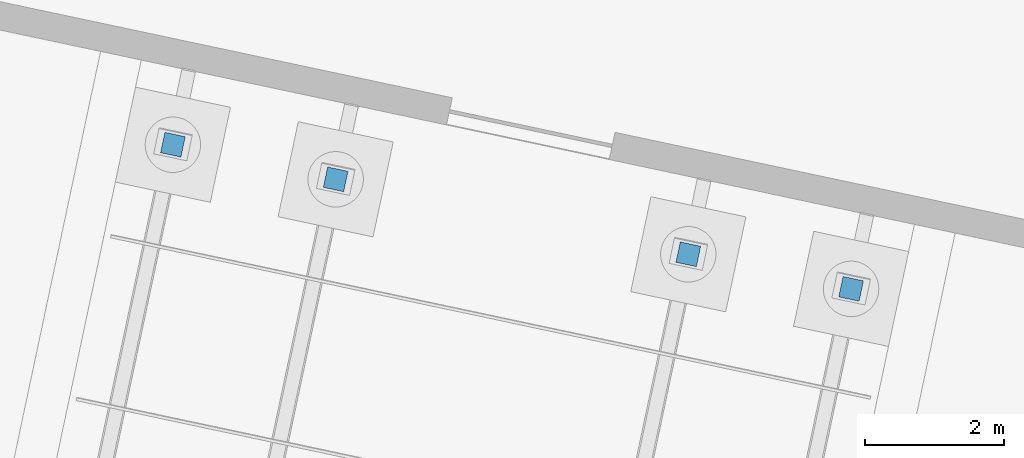
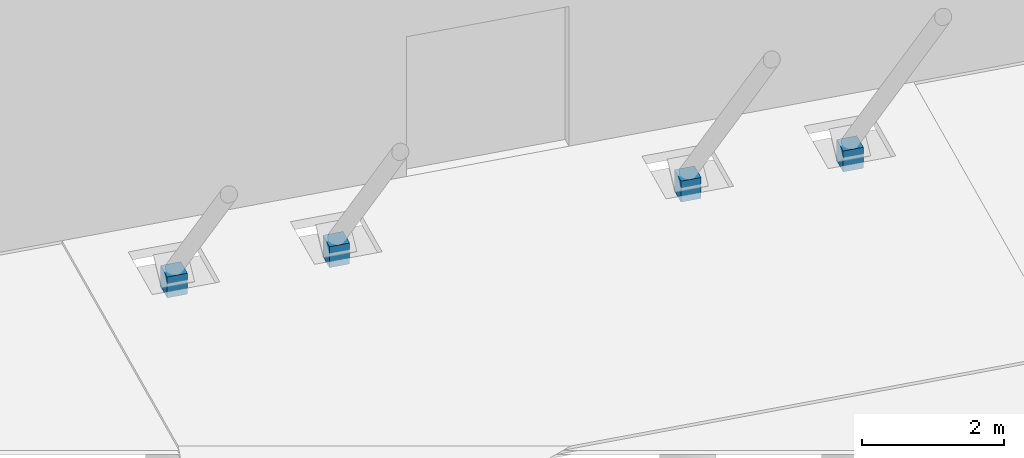
# One storey, part 137 of 239: 4 members.
"""IFC4 building model written with IfcOpenShell, lengths in metres."""

from ifc_helpers import new_model, si_unit, direction, frame, origin, origin_2d, place, context, subcontext, project, spatial, rectangle, extrude, material, material_profile, profile_set, type_object, element, save


model = new_model("IFC4")

# Units and contexts
model_context = context("Model", 3, precision=1e-05, world=origin(), true_north=direction((0.0, 1.0)))
body_context = subcontext(model_context, "Body", "Model", "MODEL_VIEW")
ifc_project = project(units=[si_unit("LENGTHUNIT", "METRE"), si_unit("AREAUNIT", "SQUARE_METRE"), si_unit("VOLUMEUNIT", "CUBIC_METRE"), si_unit("PLANEANGLEUNIT", "RADIAN"), si_unit("MASSUNIT", "GRAM", prefix="KILO")], contexts=[model_context])

# Site, building, storey
site_placement = place(None, origin())
site = spatial("IfcSite", under=ifc_project, at=site_placement, CompositionType="ELEMENT")
building_placement = place(site_placement, origin())
building = spatial("IfcBuilding", under=site, at=building_placement, Name="Okhra Congress Centre", CompositionType="ELEMENT")
storey_placement = place(building_placement, origin())
storey = spatial("IfcBuildingStorey", under=building, at=storey_placement, Name="L00", CompositionType="ELEMENT", Elevation=0.0)

# Members
ifc_material = material(Name="Steel S355J2", Category="steel")
ifc_material_profile = material_profile(ifc_material, rectangle(XDim=0.300048828125, YDim=0.300048828125, at=origin_2d()), Name="PL 300x300")
ifc_profile_set = profile_set([ifc_material_profile], Name="Steel S355J2")
member_type = type_object("IfcMemberType", Name="Steel strut base block 300x300", PredefinedType="POST", material=ifc_profile_set)
for number, where, z_axis, x_axis, name in (
    (1, (225.879638671875, 86.840087890625, -0.39990234375), (0.0, 0.0, 1.0), (0.978147600734, -0.207911690818, 0.0), "Entrance canopy strut base 1"),
    (2, (228.22705078125, 86.341064453125, -0.39990234375), (0.0, 0.0, 1.0), (0.978147600734, -0.207911690818, 0.0), "Entrance canopy strut base 2"),
    (3, (233.3134765625, 85.260009765625, -0.39990234375), (0.0, 0.0, 1.0), (0.978147600734, -0.207911690818, 0.0), "Entrance canopy strut base 3"),
    (4, (235.6611328125, 84.760986328125, -0.39990234375), (0.0, 0.0, 1.0), (0.978147600734, -0.207911690818, 0.0), "Entrance canopy strut base 4"),
):
    element("IfcMember", number, at=place(storey_placement, frame(where, z_axis=z_axis, x_axis=x_axis)), inside=storey, type_object=member_type, Name=name, PredefinedType="POST", context=body_context, shape_type="SweptSolid", body=[
        extrude(rectangle(XDim=0.300048828125, YDim=0.300048828125, at=origin_2d()), origin(), (0.0, 0.0, 1.0), 0.35986328125),
    ])

save(model, "model.ifc")
